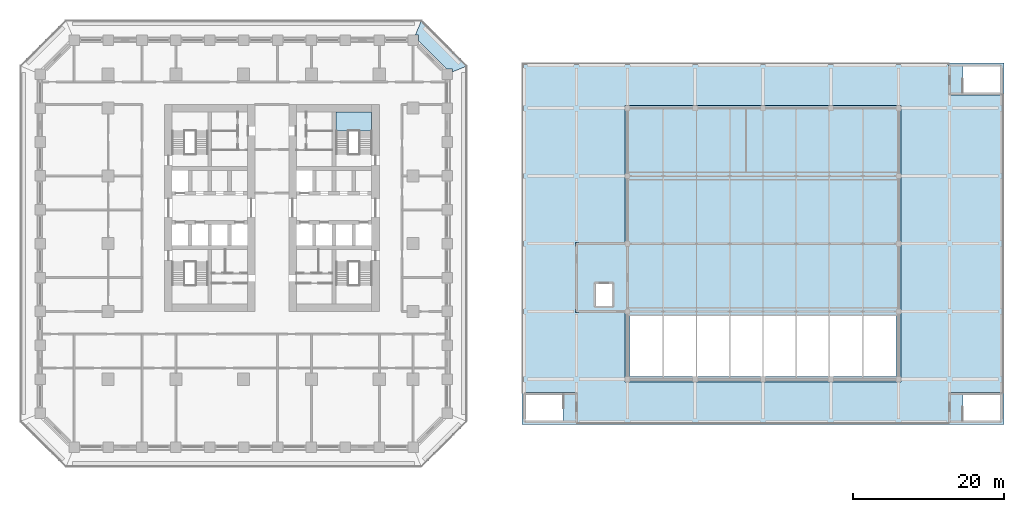
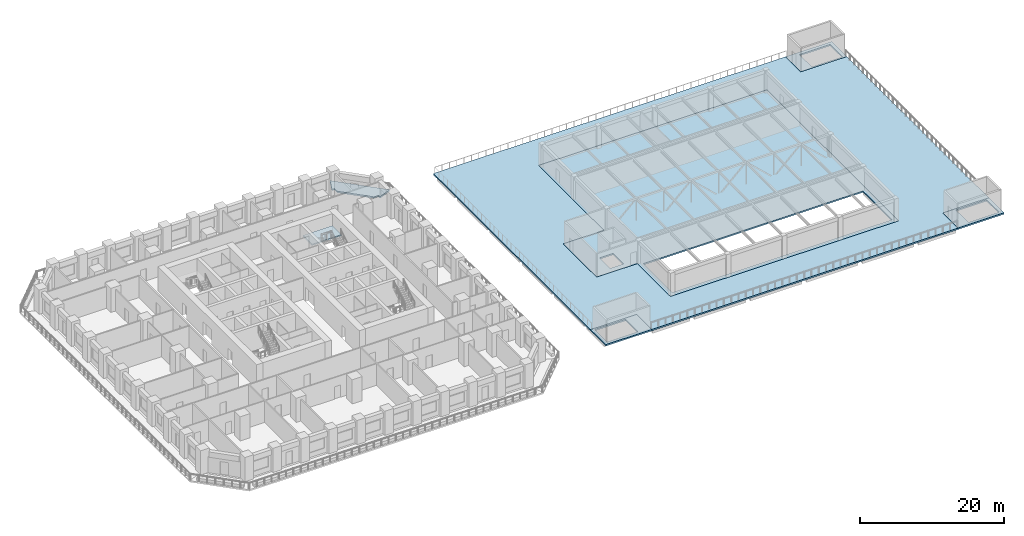
# One storey, part 17 of 30: 7 slabs, 1 element without a shape of its own.
"""IFC4 building model written with IfcOpenShell, lengths in metres."""

from ifc_helpers import new_model, si_unit, direction, frame, origin, place, context, subcontext, project, spatial, polyline, outline, extrude, material, layer, layer_set, type_object, element, aggregate, save


model = new_model("IFC4")

# Units and contexts
model_context = context("Model", 3, precision=1e-05, world=origin(), true_north=direction((0.0, 1.0)))
body_context = subcontext(model_context, "Body", "Model", "MODEL_VIEW")
ifc_project = project(units=[si_unit("LENGTHUNIT", "METRE"), si_unit("AREAUNIT", "SQUARE_METRE"), si_unit("VOLUMEUNIT", "CUBIC_METRE"), si_unit("PLANEANGLEUNIT", "RADIAN"), si_unit("MASSUNIT", "GRAM", prefix="KILO")], contexts=[model_context])

# Site, building, storey
site_placement = place(None, origin())
site = spatial("IfcSite", under=ifc_project, at=site_placement, CompositionType="ELEMENT")
building_placement = place(site_placement, origin())
building = spatial("IfcBuilding", under=site, at=building_placement, Name="Corbel Stack Research Tower", CompositionType="ELEMENT")
storey_placement = place(building_placement, frame((0.0, 0.0, 19.5)))
storey = spatial("IfcBuildingStorey", under=building, at=storey_placement, Name="L04", CompositionType="ELEMENT", Elevation=19.5)

# Slabs
ifc_material_1 = material(Name="Concrete C40/50", Category="concrete")
ifc_layer_1 = layer(ifc_material_1, 0.25)
ifc_layer_set_1 = layer_set([ifc_layer_1], Name="Concrete C40/50")
slab_type_1 = type_object("IfcSlabType", Name="HS1 floor slab 250", PredefinedType="FLOOR", material=ifc_layer_set_1)
slab_1_placement = place(storey_placement, frame((0.0, 0.0, -0.25)))
element("IfcSlab", 1, at=slab_1_placement, inside=storey, type_object=slab_type_1, Name="Hall plant floor slab L04", PredefinedType="FLOOR", context=body_context, shape_type="SweptSolid", body=[
    extrude(outline(polyline([(44.35009765625, -19.77490234375), (44.35009765625, -24.0), (36.949951171875, -24.0), (36.949951171875, -19.77490234375), (44.35009765625, -19.77490234375)]), holes=[polyline([(37.449951171875, -23.5), (42.39501953125, -23.5), (42.39501953125, -20.050048828125), (37.449951171875, -20.050048828125), (37.449951171875, -23.5)])]), origin(), (0.0, 0.0, 1.0), 0.25),
])
slab_2_placement = place(storey_placement, frame((0.0, 0.0, -0.25)))
element("IfcSlab", 2, at=slab_2_placement, inside=storey, type_object=slab_type_1, Name="Hall plant floor slab L04 2", PredefinedType="FLOOR", context=body_context, shape_type="SweptSolid", body=[
    extrude(outline(polyline([(100.949951171875, -19.77490234375), (100.949951171875, -24.0), (93.550048828125, -24.0), (93.550048828125, -19.77490234375), (100.949951171875, -19.77490234375)]), holes=[polyline([(100.449951171875, -20.050048828125), (95.5048828125, -20.050048828125), (95.5048828125, -23.5), (100.449951171875, -23.5), (100.449951171875, -20.050048828125)])]), origin(), (0.0, 0.0, 1.0), 0.25),
])
slab_3_placement = place(storey_placement, frame((0.0, 0.0, -0.25)))
element("IfcSlab", 3, at=slab_3_placement, inside=storey, type_object=slab_type_1, Name="Hall plant floor slab L04 3", PredefinedType="FLOOR", context=body_context, shape_type="SweptSolid", body=[
    extrude(outline(polyline([(50.60009765625, -18.35009765625), (50.60009765625, -9.14990234375), (44.050048828125, -9.14990234375), (44.050048828125, 0.14990234375), (50.60009765625, 0.14990234375), (50.60009765625, 18.35009765625), (87.300048828125, 18.35009765625), (87.300048828125, -18.35009765625), (50.60009765625, -18.35009765625)]), holes=[polyline([(86.60009765625, -9.574951171875), (51.300048828125, -9.574951171875), (51.300048828125, -17.64990234375), (86.60009765625, -17.64990234375), (86.60009765625, -9.574951171875)]), polyline([(48.925048828125, -5.324951171875), (46.72509765625, -5.324951171875), (46.72509765625, -8.27490234375), (48.925048828125, -8.27490234375), (48.925048828125, -5.324951171875)])]), origin(), (0.0, 0.0, 1.0), 0.25),
])
slab_4_placement = place(storey_placement, frame((0.0, 0.0, -0.25)))
element("IfcSlab", 4, at=slab_4_placement, inside=storey, type_object=slab_type_1, Name="Hall plant floor slab L04 4", PredefinedType="FLOOR", context=body_context, shape_type="SweptSolid", body=[
    extrude(outline(polyline([(100.949951171875, 19.77490234375), (93.550048828125, 19.77490234375), (93.550048828125, 24.0), (100.949951171875, 24.0), (100.949951171875, 19.77490234375)]), holes=[polyline([(95.5048828125, 23.5), (95.5048828125, 20.050048828125), (100.449951171875, 20.050048828125), (100.449951171875, 23.5), (95.5048828125, 23.5)])]), origin(), (0.0, 0.0, 1.0), 0.25),
])
ifc_material_2 = material(Name="Concrete C40/50", Category="concrete")
ifc_layer_2 = layer(ifc_material_2, 0.199951171875)
ifc_layer_set_2 = layer_set([ifc_layer_2], Name="Concrete C40/50")
slab_type_2 = type_object("IfcSlabType", Name="HS3 roof slab 200", PredefinedType="ROOF", material=ifc_layer_set_2)
slab_5_placement = place(storey_placement, frame((0.0, 0.0, -0.25)))
element("IfcSlab", 5, at=slab_5_placement, inside=storey, type_object=slab_type_2, Name="Roof terrace deck", PredefinedType="ROOF", context=body_context, shape_type="SweptSolid", body=[
    extrude(outline(polyline([(100.949951171875, -19.77490234375), (93.550048828125, -19.77490234375), (93.550048828125, -24.0), (44.35009765625, -24.0), (44.35009765625, -19.77490234375), (36.949951171875, -19.77490234375), (36.949951171875, 24.0), (93.550048828125, 24.0), (93.550048828125, 19.77490234375), (100.949951171875, 19.77490234375), (100.949951171875, -19.77490234375)]), holes=[polyline([(44.050048828125, -9.14990234375), (50.60009765625, -9.14990234375), (50.60009765625, -18.35009765625), (87.300048828125, -18.35009765625), (87.300048828125, 18.35009765625), (50.60009765625, 18.35009765625), (50.60009765625, 0.14990234375), (44.050048828125, 0.14990234375), (44.050048828125, -9.14990234375)])]), origin(), (0.0, 0.0, 1.0), 0.25),
])
ifc_material_3 = material(Name="Concrete C45/55", Category="concrete")
ifc_layer_3 = layer(ifc_material_3, 0.25)
ifc_layer_set_3 = layer_set([ifc_layer_3], Name="Concrete C45/55")
slab_type_3 = type_object("IfcSlabType", Name="PT balcony slab 250 C45/55", PredefinedType="FLOOR", material=ifc_layer_set_3)
slab_6_placement = place(storey_placement, frame((0.0, 0.0, -0.25)))
element("IfcSlab", 6, at=slab_6_placement, inside=storey, type_object=slab_type_3, Name="Loggia slab L04 NE", PredefinedType="FLOOR", context=body_context, shape_type="SweptSolid", body=[
    extrude(outline(polyline([(22.789794921875, 27.699951171875), (23.199951171875, 27.699951171875), (23.199951171875, 26.936279296875), (26.936279296875, 23.199951171875), (27.699951171875, 23.199951171875), (27.699951171875, 22.789794921875), (29.699951171875, 23.618408203125), (23.618408203125, 29.699951171875), (22.789794921875, 27.699951171875)])), origin(), (0.0, 0.0, 1.0), 0.25),
])

# Stair, slab
ifc_material_4 = material(Name="Concrete C40/50", Category="concrete")
stair_type = type_object("IfcStairType", Name="Exit stair 24 risers", PredefinedType="HALF_TURN_STAIR", material=ifc_material_4)
stair_placement = place(storey_placement, origin())
stair = element("IfcStair", 7, at=stair_placement, inside=storey, type_object=stair_type, Name="L04 Exit stair ST-E2", PredefinedType="HALF_TURN_STAIR")
ifc_material_5 = material(Name="Concrete C40/50", Category="concrete")
ifc_layer_4 = layer(ifc_material_5, 0.199951171875)
ifc_layer_set_4 = layer_set([ifc_layer_4], Name="Concrete C40/50")
slab_type_4 = type_object("IfcSlabType", Name="Stair landing 200 C40/50", PredefinedType="LANDING", material=ifc_layer_set_4)
slab_7_placement = place(storey_placement, frame((0.0, 0.0, 1.85009765625)))
slab_7 = element("IfcSlab", 8, at=slab_7_placement, type_object=slab_type_4, Name="ST-E2 landing 1", PredefinedType="LANDING", context=body_context, shape_type="SweptSolid", body=[
    extrude(outline(polyline([(12.25, 14.97998046875), (12.25, 17.5), (17.0, 17.5), (17.0, 14.97998046875), (12.25, 14.97998046875)])), origin(), (0.0, 0.0, 1.0), 0.199951171875),
])
aggregate(stair, [slab_7])

save(model, "model.ifc")
